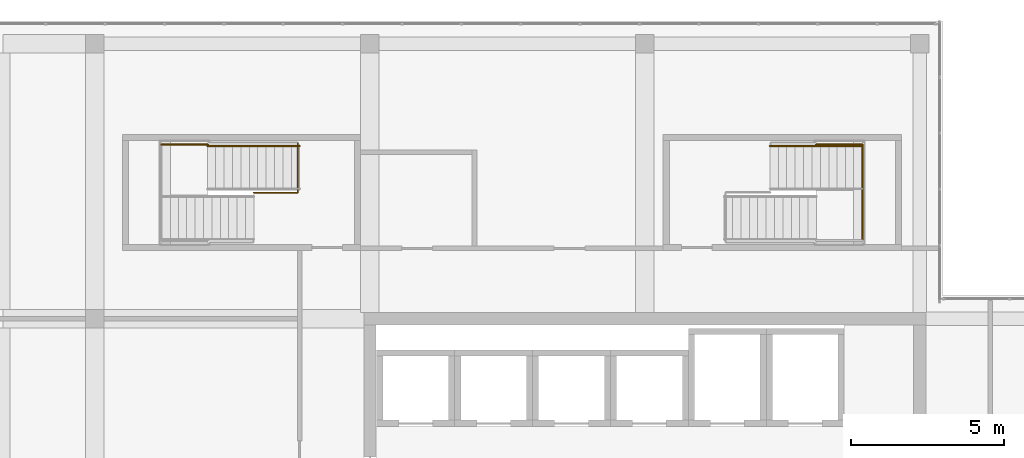
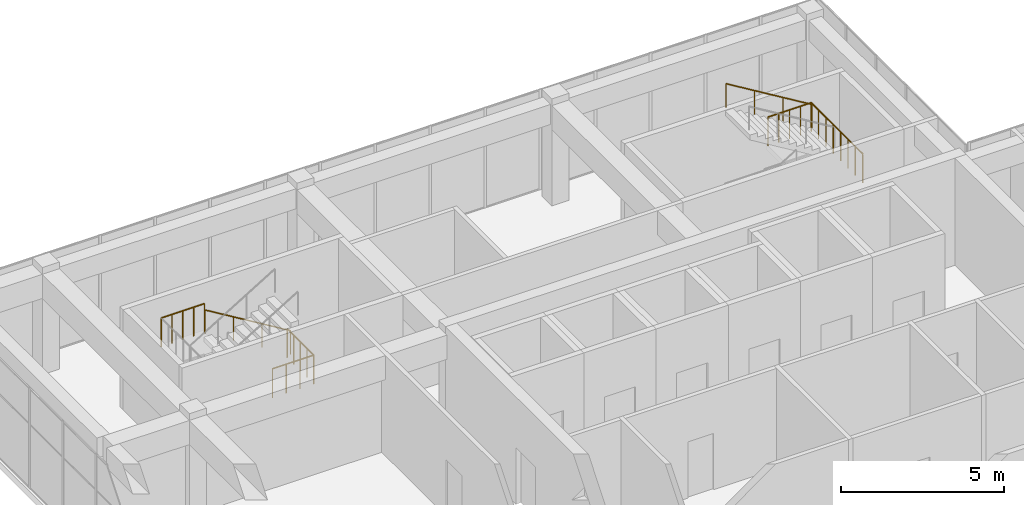
# One storey, part 35 of 35: 6 railings.
"""IFC4 building model written with IfcOpenShell, lengths in metres."""

import ifcopenshell
import ifcopenshell.guid

model = None  # the IFC model being written
_history = None  # IfcOwnerHistory: only IFC2X3 demands one
_inside = {}  # id of a spatial element -> (the spatial element, [elements in it])
_under = {}  # id of a project, library or spatial element -> (it, [spatial elements below it])
_declared = {}  # id of a project -> (the project, [libraries it declares])
_typed = {}  # id of a type object -> (the type object, [elements of that type])
_made_of = {}  # id of a material, layer set ... -> (it, [elements and type objects made of it])


def new_model(schema):
    """Start an empty IFC model of exactly this schema.

    Asked for "IFC4X3", IfcOpenShell would pick the latest addendum, in which some entities
    have other attributes; the version numbers below select the first issue.
    IFC2X3 requires an IfcOwnerHistory on every rooted entity: one is made here for all.
    """
    global model, _history
    if schema == "IFC4X3":
        model = ifcopenshell.file(schema_version=(4, 3, 0, 0))
    else:
        model = ifcopenshell.file(schema=schema)
    _inside.clear()
    _under.clear()
    _declared.clear()
    _typed.clear()
    _made_of.clear()
    _history = None
    if model.schema == "IFC2X3":
        org = make("IfcOrganization", Name="unknown")
        user = make(
            "IfcPersonAndOrganization",
            ThePerson=make("IfcPerson", FamilyName="unknown"),
            TheOrganization=org,
        )
        app = make(
            "IfcApplication",
            ApplicationDeveloper=org,
            Version="unknown",
            ApplicationFullName="unknown",
            ApplicationIdentifier="unknown",
        )
        _history = make(
            "IfcOwnerHistory",
            OwningUser=user,
            OwningApplication=app,
            ChangeAction="ADDED",
            CreationDate=0,
        )
    return model


def make(cls, **values):
    """One entity of the class cls with the attributes given. An attribute that is None is left unset."""
    return model.create_entity(
        cls, **{name: value for name, value in values.items() if value is not None}
    )


def rooted(cls, **values):
    """An entity with a GlobalId (a new one), such as an element, a storey or a relation."""
    return make(cls, GlobalId=ifcopenshell.guid.new(), OwnerHistory=_history, **values)


def si_unit(unit_type, name, prefix=None):
    """IfcSIUnit, for example si_unit("LENGTHUNIT", "METRE", prefix="MILLI")."""
    return make("IfcSIUnit", UnitType=unit_type, Prefix=prefix, Name=name)


def assignment(units):
    """IfcUnitAssignment: the units of a project."""
    return None if units is None else make("IfcUnitAssignment", Units=units)


def point(xyz):
    """IfcCartesianPoint."""
    return None if xyz is None else make("IfcCartesianPoint", Coordinates=xyz)


def direction(xyz):
    """IfcDirection."""
    return None if xyz is None else make("IfcDirection", DirectionRatios=xyz)


def frame(location, z_axis=None, x_axis=None):
    """IfcAxis2Placement3D, a coordinate frame: its origin and axes. An axis left out is left unset."""
    return make(
        "IfcAxis2Placement3D",
        Location=point(location),
        Axis=direction(z_axis),
        RefDirection=direction(x_axis),
    )


def frame_2d(location, x_axis=None):
    """IfcAxis2Placement2D, a coordinate frame in the plane: its origin and x axis."""
    return make(
        "IfcAxis2Placement2D", Location=point(location), RefDirection=direction(x_axis)
    )


def origin():
    """The frame at (0, 0, 0) with its axes left unset."""
    return frame((0.0, 0.0, 0.0))


def origin_2d():
    """The frame at (0, 0) in the plane with its x axis left unset."""
    return frame_2d((0.0, 0.0))


def place(relative_to, where):
    """IfcLocalPlacement: puts the frame where relative to a parent placement (None: the world)."""
    return make(
        "IfcLocalPlacement", PlacementRelTo=relative_to, RelativePlacement=where
    )


def context(
    kind, dimensions, precision=None, world=None, true_north=None, identifier=None
):
    """IfcGeometricRepresentationContext, for example the 3D "Model" context."""
    return make(
        "IfcGeometricRepresentationContext",
        ContextIdentifier=identifier,
        ContextType=kind,
        CoordinateSpaceDimension=dimensions,
        Precision=precision,
        WorldCoordinateSystem=world,
        TrueNorth=true_north,
    )


def subcontext(parent, identifier, kind, view, scale=None):
    """IfcGeometricRepresentationSubContext, for example "Body" below "Model"."""
    return make(
        "IfcGeometricRepresentationSubContext",
        ContextIdentifier=identifier,
        ContextType=kind,
        ParentContext=parent,
        TargetScale=scale,
        TargetView=view,
    )


def project(units=None, contexts=None):
    """IfcProject with its units and contexts."""
    return rooted(
        "IfcProject",
        Name="project",
        RepresentationContexts=contexts,
        UnitsInContext=assignment(units),
    )


def spatial(cls, under=None, at=None, **own):
    """A site, building, storey or space (cls), placed at a placement, below another one or the project."""
    s = rooted(cls, ObjectPlacement=at, **own)
    if under is not None:
        _under.setdefault(under.id(), (under, []))[1].append(s)
    return s


def profile(cls, at=None, kind="AREA", **sizes):
    """A parametric profile (cls). Its sizes go by their IFC names, for example OverallWidth=200.0."""
    return make(cls, ProfileType=kind, Position=at, **sizes)


def circle(**sizes):
    """IfcCircleProfileDef."""
    return profile("IfcCircleProfileDef", **sizes)


def extrude(swept, where, along, depth):
    """IfcExtrudedAreaSolid: the profile swept, set in the frame where, extruded along a direction by depth."""
    return make(
        "IfcExtrudedAreaSolid",
        SweptArea=swept,
        Position=where,
        ExtrudedDirection=direction(along),
        Depth=depth,
    )


def shape(context_of_items, identifier, shape_type, items):
    """IfcShapeRepresentation: the items that make up one representation, for example the "Body"."""
    return make(
        "IfcShapeRepresentation",
        ContextOfItems=context_of_items,
        RepresentationIdentifier=identifier,
        RepresentationType=shape_type,
        Items=items,
    )


def material(Name=None, Category=None):
    """IfcMaterial."""
    return make("IfcMaterial", Name=Name, Category=Category)


def made_of(thing, what):
    """Note that an element or type object is made of a material, layer set ...; save() writes the relation."""
    if what is not None:
        _made_of.setdefault(what.id(), (what, []))[1].append(thing)
    return thing


def type_object(cls, material=None, **own):
    """A type object (cls), such as IfcWallType, which elements share."""
    return made_of(rooted(cls, **own), material)


def element(
    cls,
    number,
    at=None,
    inside=None,
    cuts=None,
    type_object=None,
    material=None,
    context=None,
    identifier="Body",
    shape_type=None,
    held_by="IfcProductDefinitionShape",
    body=None,
    shapes=None,
    **own,
):
    """One element of the class cls, such as IfcWall. Its Tag is "e" and its number.

    at: its placement. inside: the storey or other place that contains it. cuts: it is an
    opening in that element (IfcRelVoidsElement). A single representation is given by context,
    identifier, shape_type and body (its items); several are given by shapes. held_by: the class
    of the entity that holds the representations. save() writes the other relations.
    """
    e = rooted(cls, Tag="e%d" % number, ObjectPlacement=at, **own)
    if body is not None:
        shapes = [shape(context, identifier, shape_type, body)]
    if shapes is not None:
        e.Representation = make(held_by, Representations=shapes)
    if inside is not None:
        _inside.setdefault(inside.id(), (inside, []))[1].append(e)
    if cuts is not None:
        rooted(
            "IfcRelVoidsElement", RelatingBuildingElement=cuts, RelatedOpeningElement=e
        )
    if type_object is not None:
        _typed.setdefault(type_object.id(), (type_object, []))[1].append(e)
    return made_of(e, material)


def aggregate(whole, parts):
    """IfcRelAggregates: a whole, such as a stair, and the parts it consists of."""
    return rooted("IfcRelAggregates", RelatingObject=whole, RelatedObjects=parts)


def save(model, path):
    """Write the relations noted so far, then the file.

    IfcRelAggregates (storeys below a building ...), IfcRelContainedInSpatialStructure (elements
    in a storey), IfcRelDefinesByType, IfcRelAssociatesMaterial and IfcRelDeclares: one each for
    every whole, place, type object, material and project.
    """
    for whole, parts in _under.values():
        aggregate(whole, parts)
    for where, things in _inside.values():
        rooted(
            "IfcRelContainedInSpatialStructure",
            RelatedElements=things,
            RelatingStructure=where,
        )
    for kind, things in _typed.values():
        rooted("IfcRelDefinesByType", RelatedObjects=things, RelatingType=kind)
    for what, things in _made_of.values():
        rooted("IfcRelAssociatesMaterial", RelatedObjects=things, RelatingMaterial=what)
    for by, libraries in _declared.values():
        rooted("IfcRelDeclares", RelatingContext=by, RelatedDefinitions=libraries)
    model.write(path)


model = new_model("IFC4")

# Units and contexts
model_context = context("Model", 3, precision=1e-05, world=origin(), true_north=direction((0.0, 1.0)))
body_context = subcontext(model_context, "Body", "Model", "MODEL_VIEW")
ifc_project = project(units=[si_unit("LENGTHUNIT", "METRE"), si_unit("AREAUNIT", "SQUARE_METRE"), si_unit("VOLUMEUNIT", "CUBIC_METRE"), si_unit("PLANEANGLEUNIT", "RADIAN"), si_unit("MASSUNIT", "GRAM", prefix="KILO")], contexts=[model_context])

# Site, building, storey
site_placement = place(None, origin())
site = spatial("IfcSite", under=ifc_project, at=site_placement, CompositionType="ELEMENT")
building_placement = place(site_placement, origin())
building = spatial("IfcBuilding", under=site, at=building_placement, Name="Tuart Plaza Theatre", CompositionType="ELEMENT")
storey_placement = place(building_placement, frame((0.0, 0.0, 45.5)))
storey = spatial("IfcBuildingStorey", under=building, at=storey_placement, Name="L11", CompositionType="ELEMENT", Elevation=45.5)

# Railings
ifc_material_1 = material(Name="Steel Grade C350L0", Category="steel")
railing_type_1 = type_object("IfcRailingType", Name="RAILING Guard 1100", PredefinedType="GUARDRAIL", material=ifc_material_1)
railing_1_placement = place(storey_placement, frame((139.1298828125, 85.550048828125, 2.0)))
element("IfcRailing", 1, at=railing_1_placement, inside=storey, type_object=railing_type_1, Name="GR336", PredefinedType="GUARDRAIL", context=body_context, shape_type="SweptSolid", body=[
    extrude(circle(Radius=0.02490234375, at=origin_2d()), frame((0.0, 0.0, 1.0751953125), z_axis=(0.0, 1.0, 0.0), x_axis=(-1.0, 0.0, 0.0)), (0.0, 0.0, 1.0), 3.14990234375),
    extrude(circle(Radius=0.02001953125, at=origin_2d()), origin(), (0.0, 0.0, 1.0), 1.050048828125),
    extrude(circle(Radius=0.02001953125, at=origin_2d()), frame((0.0, 0.449951171875, 0.0)), (0.0, 0.0, 1.0), 1.050048828125),
    extrude(circle(Radius=0.02001953125, at=origin_2d()), frame((0.0, 0.89990234375, 0.0)), (0.0, 0.0, 1.0), 1.050048828125),
    extrude(circle(Radius=0.02001953125, at=origin_2d()), frame((0.0, 1.349853515625, 0.0)), (0.0, 0.0, 1.0), 1.050048828125),
    extrude(circle(Radius=0.02001953125, at=origin_2d()), frame((0.0, 1.800048828125, 0.0)), (0.0, 0.0, 1.0), 1.050048828125),
    extrude(circle(Radius=0.02001953125, at=origin_2d()), frame((0.0, 2.25, 0.0)), (0.0, 0.0, 1.0), 1.050048828125),
    extrude(circle(Radius=0.02001953125, at=origin_2d()), frame((0.0, 2.699951171875, 0.0)), (0.0, 0.0, 1.0), 1.050048828125),
    extrude(circle(Radius=0.02001953125, at=origin_2d()), frame((0.0, 3.14990234375, 0.0)), (0.0, 0.0, 1.0), 1.050048828125),
])
railing_2_placement = place(storey_placement, frame((139.1298828125, 88.699951171875, 2.0)))
element("IfcRailing", 2, at=railing_2_placement, inside=storey, type_object=railing_type_1, Name="GR337", PredefinedType="GUARDRAIL", context=body_context, shape_type="SweptSolid", body=[
    extrude(circle(Radius=0.02490234375, at=origin_2d()), frame((0.0, 0.0, 1.0751953125), z_axis=(-1.0, 0.0, 0.0), x_axis=(0.0, -1.0, 0.0)), (0.0, 0.0, 1.0), 1.52978515625),
    extrude(circle(Radius=0.02001953125, at=origin_2d()), origin(), (0.0, 0.0, 1.0), 1.050048828125),
    extrude(circle(Radius=0.02001953125, at=origin_2d()), frame((-0.38232421875, 0.0, 0.0)), (0.0, 0.0, 1.0), 1.050048828125),
    extrude(circle(Radius=0.02001953125, at=origin_2d()), frame((-0.764892578125, 0.0, 0.0)), (0.0, 0.0, 1.0), 1.050048828125),
    extrude(circle(Radius=0.02001953125, at=origin_2d()), frame((-1.1474609375, 0.0, 0.0)), (0.0, 0.0, 1.0), 1.050048828125),
    extrude(circle(Radius=0.02001953125, at=origin_2d()), frame((-1.52978515625, 0.0, 0.0)), (0.0, 0.0, 1.0), 1.050048828125),
])
railing_3_placement = place(storey_placement, frame((120.64501953125, 88.75, 0.0)))
element("IfcRailing", 3, at=railing_3_placement, inside=storey, type_object=railing_type_1, Name="GR407", PredefinedType="GUARDRAIL", context=body_context, shape_type="SweptSolid", body=[
    extrude(circle(Radius=0.02490234375, at=origin_2d()), frame((0.0, 0.0, 1.0751953125), z_axis=(0.0, -1.0, 0.0), x_axis=(1.0, 0.0, 0.0)), (0.0, 0.0, 1.0), 1.625),
    extrude(circle(Radius=0.02490234375, at=origin_2d()), frame((0.0, -1.625, 1.0751953125), z_axis=(-1.0, 0.0, 0.0), x_axis=(0.0, -1.0, 0.0)), (0.0, 0.0, 1.0), 1.455078125),
    extrude(circle(Radius=0.02001953125, at=origin_2d()), origin(), (0.0, 0.0, 1.0), 1.050048828125),
    extrude(circle(Radius=0.02001953125, at=origin_2d()), frame((0.0, -0.40625, 0.0)), (0.0, 0.0, 1.0), 1.050048828125),
    extrude(circle(Radius=0.02001953125, at=origin_2d()), frame((0.0, -0.8125, 0.0)), (0.0, 0.0, 1.0), 1.050048828125),
    extrude(circle(Radius=0.02001953125, at=origin_2d()), frame((0.0, -1.21875, 0.0)), (0.0, 0.0, 1.0), 1.050048828125),
    extrude(circle(Radius=0.02001953125, at=origin_2d()), frame((0.0, -1.625, 0.0)), (0.0, 0.0, 1.0), 1.050048828125),
    extrude(circle(Radius=0.02001953125, at=origin_2d()), frame((-0.485107421875, -1.625, 0.0)), (0.0, 0.0, 1.0), 1.050048828125),
    extrude(circle(Radius=0.02001953125, at=origin_2d()), frame((-0.969970703125, -1.625, 0.0)), (0.0, 0.0, 1.0), 1.050048828125),
    extrude(circle(Radius=0.02001953125, at=origin_2d()), frame((-1.455078125, -1.625, 0.0)), (0.0, 0.0, 1.0), 1.050048828125),
])
railing_4_placement = place(storey_placement, frame((117.699951171875, 88.699951171875, 2.0)))
element("IfcRailing", 4, at=railing_4_placement, inside=storey, type_object=railing_type_1, Name="GR414", PredefinedType="GUARDRAIL", context=body_context, shape_type="SweptSolid", body=[
    extrude(circle(Radius=0.02490234375, at=origin_2d()), frame((0.0, 0.0, 1.0751953125), z_axis=(-1.0, 0.0, 0.0), x_axis=(0.0, -1.0, 0.0)), (0.0, 0.0, 1.0), 1.530029296875),
    extrude(circle(Radius=0.02001953125, at=origin_2d()), origin(), (0.0, 0.0, 1.0), 1.050048828125),
    extrude(circle(Radius=0.02001953125, at=origin_2d()), frame((-0.382568359375, 0.0, 0.0)), (0.0, 0.0, 1.0), 1.050048828125),
    extrude(circle(Radius=0.02001953125, at=origin_2d()), frame((-0.76513671875, 0.0, 0.0)), (0.0, 0.0, 1.0), 1.050048828125),
    extrude(circle(Radius=0.02001953125, at=origin_2d()), frame((-1.1474609375, 0.0, 0.0)), (0.0, 0.0, 1.0), 1.050048828125),
    extrude(circle(Radius=0.02001953125, at=origin_2d()), frame((-1.530029296875, 0.0, 0.0)), (0.0, 0.0, 1.0), 1.050048828125),
])
ifc_material_2 = material(Name="Steel Grade C350L0", Category="steel")
railing_type_2 = type_object("IfcRailingType", Name="RAILING Handrail 900", PredefinedType="HANDRAIL", material=ifc_material_2)
for number, where, name in (
    (5, (139.1201171875, 88.64990234375, 2.166748046875), "HR226"),
    (6, (120.705078125, 88.64990234375, 0.166748046875), "HR288"),
):
    element("IfcRailing", number, at=place(storey_placement, frame(where)), inside=storey, type_object=railing_type_2, Name=name, PredefinedType="HANDRAIL", context=body_context, shape_type="SweptSolid", body=[
        extrude(circle(Radius=0.0224609375, at=origin_2d()), frame((0.0, 0.0, 0.87744140625), z_axis=(-0.855219153138, 0.0, 0.518266533848), x_axis=(0.0, -1.0, 0.0)), (0.0, 0.0, 1.0), 3.537353515625),
        extrude(circle(Radius=0.01513671875, at=origin_2d()), origin(), (0.0, 0.0, 1.0), 0.85498046875),
        extrude(circle(Radius=0.01513671875, at=origin_2d()), frame((-1.00830078125, 0.0, 0.611083984375)), (0.0, 0.0, 1.0), 0.85498046875),
        extrude(circle(Radius=0.01513671875, at=origin_2d()), frame((-2.016845703125, 0.0, 1.22216796875)), (0.0, 0.0, 1.0), 0.85498046875),
        extrude(circle(Radius=0.01513671875, at=origin_2d()), frame((-3.025146484375, 0.0, 1.833251953125)), (0.0, 0.0, 1.0), 0.85498046875),
    ])

save(model, "model.ifc")
